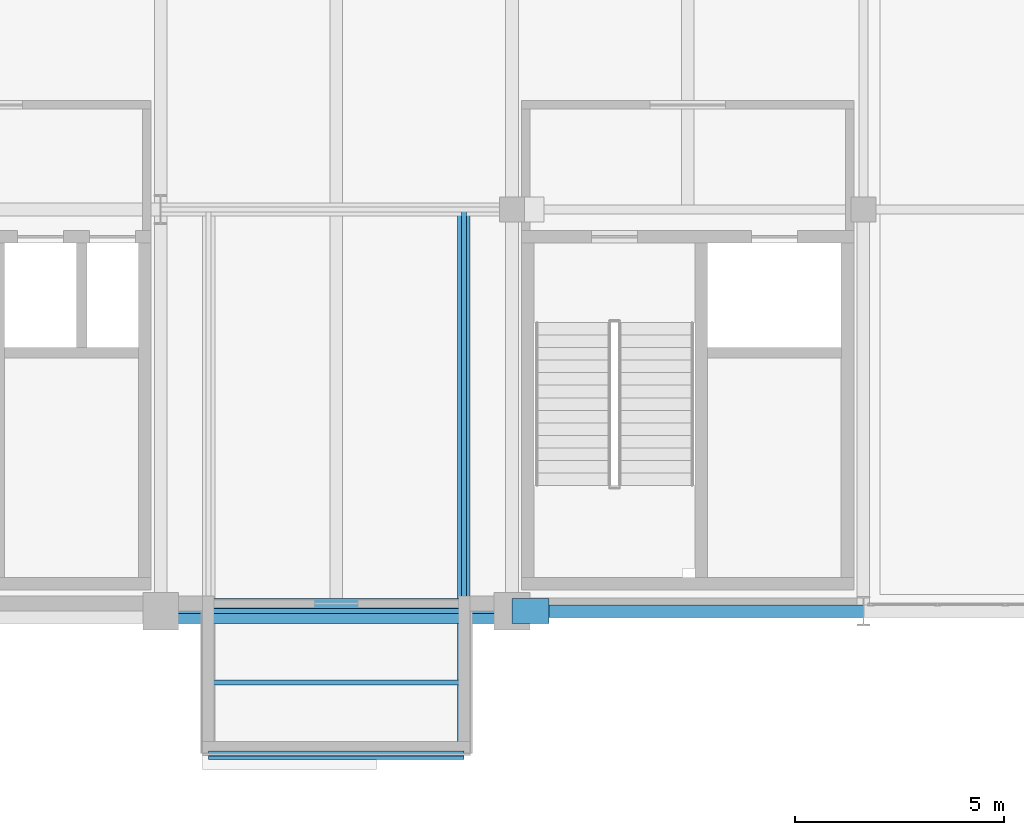
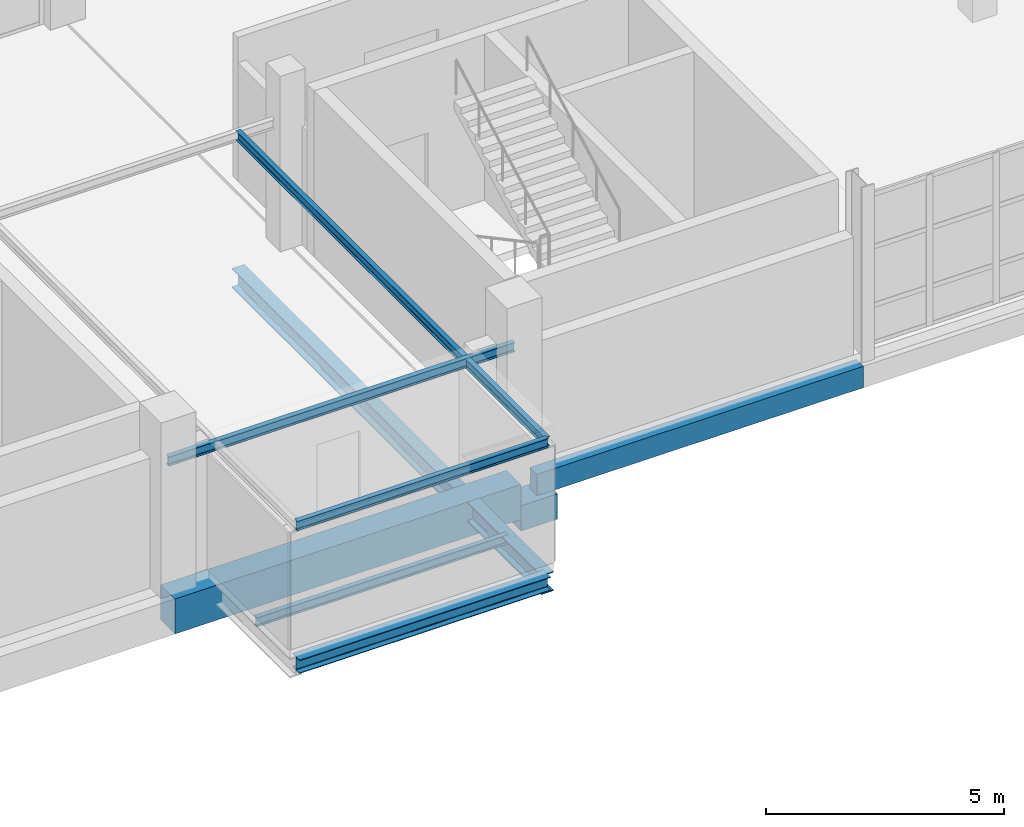
# One storey, part 31 of 113: 9 beams.
"""IFC4 building model written with IfcOpenShell, lengths in metres."""

from ifc_helpers import new_model, si_unit, direction, frame, origin, origin_2d, place, context, subcontext, project, spatial, rectangle, i_section, extrude, material, material_profile, profile_set, type_object, element, save


model = new_model("IFC4")

# Units and contexts
model_context = context("Model", 3, precision=1e-05, world=origin(), true_north=direction((0.0, 1.0)))
body_context = subcontext(model_context, "Body", "Model", "MODEL_VIEW")
ifc_project = project(units=[si_unit("LENGTHUNIT", "METRE"), si_unit("AREAUNIT", "SQUARE_METRE"), si_unit("VOLUMEUNIT", "CUBIC_METRE"), si_unit("PLANEANGLEUNIT", "RADIAN"), si_unit("MASSUNIT", "GRAM", prefix="KILO")], contexts=[model_context])

# Site, building, storey
site_placement = place(None, origin())
site = spatial("IfcSite", under=ifc_project, at=site_placement, CompositionType="ELEMENT")
building_placement = place(site_placement, origin())
building = spatial("IfcBuilding", under=site, at=building_placement, Name="Veltarok Museum of Natural Sciences", CompositionType="ELEMENT")
storey_placement = place(building_placement, frame((0.0, 0.0, 8.39990234375)))
storey = spatial("IfcBuildingStorey", under=building, at=storey_placement, Name="L01", CompositionType="ELEMENT", Elevation=8.39990234375)

# Beams
ifc_material_1 = material(Name="Steel S355J2", Category="steel")
ifc_material_profile_1 = material_profile(ifc_material_1, i_section(OverallWidth=0.300048828125, OverallDepth=0.5, WebThickness=0.014404296875, FlangeThickness=0.028076171875, FilletRadius=0.027099609375, at=origin_2d()), Name="HEB 500")
ifc_profile_set_1 = profile_set([ifc_material_profile_1], Name="Steel S355J2")
beam_type_1 = type_object("IfcBeamType", Name="Cabinet Box Cantilever Girder HEB 500", PredefinedType="BEAM", material=ifc_profile_set_1)
beam_1_placement = place(storey_placement, frame((106.050048828125, -3.39990234375, -0.5), z_axis=(0.0, 1.0, 0.0), x_axis=(-1.0, 0.0, 0.0)))
element("IfcBeam", 1, at=beam_1_placement, inside=storey, type_object=beam_type_1, Name="Cabinet Cantilever Girder DB-05-2", PredefinedType="BEAM", context=body_context, shape_type="SweptSolid", body=[
    extrude(i_section(OverallWidth=0.300048828125, OverallDepth=0.5, WebThickness=0.014404296875, FlangeThickness=0.028076171875, FilletRadius=0.027099609375, at=origin_2d()), origin(), (0.0, 0.0, 1.0), 13.0),
])
ifc_material_profile_2 = material_profile(ifc_material_1, i_section(OverallWidth=0.1201171875, OverallDepth=0.239990234375, WebThickness=0.006103515625, FlangeThickness=0.009765625, FilletRadius=0.014892578125, at=origin_2d()), Name="IPE 240")
ifc_profile_set_2 = profile_set([ifc_material_profile_2], Name="Steel S355J2")
beam_type_2 = type_object("IfcBeamType", Name="Cabinet Box Secondary Joist IPE 240", PredefinedType="JOIST", material=ifc_profile_set_2)
beam_2_placement = place(storey_placement, frame((106.050048828125, -3.39990234375, 3.130126953125), z_axis=(0.0, 1.0, 0.0), x_axis=(-1.0, 0.0, 0.0)))
element("IfcBeam", 2, at=beam_2_placement, inside=storey, type_object=beam_type_2, Name="Cabinet Roof Rafter DB-05-2", PredefinedType="JOIST", context=body_context, shape_type="SweptSolid", body=[
    extrude(i_section(OverallWidth=0.1201171875, OverallDepth=0.239990234375, WebThickness=0.006103515625, FlangeThickness=0.009765625, FilletRadius=0.014892578125, at=origin_2d()), origin(), (0.0, 0.0, 1.0), 13.0),
])
beam_3_placement = place(storey_placement, frame((98.800048828125, 0.0, 3.130126953125), z_axis=(1.0, 0.0, 0.0), x_axis=(0.0, 1.0, 0.0)))
element("IfcBeam", 3, at=beam_3_placement, inside=storey, type_object=beam_type_2, Name="Cabinet Roof Tie Beam DB-05-P", PredefinedType="JOIST", context=body_context, shape_type="SweptSolid", body=[
    extrude(i_section(OverallWidth=0.1201171875, OverallDepth=0.239990234375, WebThickness=0.006103515625, FlangeThickness=0.009765625, FilletRadius=0.014892578125, at=origin_2d()), origin(), (0.0, 0.0, 1.0), 8.39990234375),
])
for number, where, z_axis, x_axis, name in (
    (4, (99.949951171875, -3.39990234375, 3.130126953125), (1.0, 0.0, 0.0), (0.0, 1.0, 0.0), "Cabinet Roof Tip Header DB-05"),
    (5, (99.949951171875, -1.699951171875, -0.369873046875), (1.0, 0.0, 0.0), (0.0, 1.0, 0.0), "Cabinet Box Joist DB-05"),
):
    element("IfcBeam", number, at=place(storey_placement, frame(where, z_axis=z_axis, x_axis=x_axis)), inside=storey, type_object=beam_type_2, Name=name, PredefinedType="JOIST", context=body_context, shape_type="SweptSolid", body=[
        extrude(i_section(OverallWidth=0.1201171875, OverallDepth=0.239990234375, WebThickness=0.006103515625, FlangeThickness=0.009765625, FilletRadius=0.014892578125, at=origin_2d()), origin(), (0.0, 0.0, 1.0), 6.10009765625),
    ])
ifc_material_profile_3 = material_profile(ifc_material_1, i_section(OverallWidth=0.300048828125, OverallDepth=0.35009765625, WebThickness=0.010009765625, FlangeThickness=0.017578125, FilletRadius=0.027099609375, at=origin_2d()), Name="HEA 360")
ifc_profile_set_3 = profile_set([ifc_material_profile_3], Name="Steel S355J2")
beam_type_3 = type_object("IfcBeamType", Name="Cabinet Box Tip Header HEA 360", PredefinedType="BEAM", material=ifc_profile_set_3)
beam_4_placement = place(storey_placement, frame((99.949951171875, -3.39990234375, -0.4248046875), z_axis=(1.0, 0.0, 0.0), x_axis=(0.0, 1.0, 0.0)))
element("IfcBeam", 6, at=beam_4_placement, inside=storey, type_object=beam_type_3, Name="Cabinet Tip Header DB-05", PredefinedType="BEAM", context=body_context, shape_type="SweptSolid", body=[
    extrude(i_section(OverallWidth=0.300048828125, OverallDepth=0.35009765625, WebThickness=0.010009765625, FlangeThickness=0.017578125, FilletRadius=0.027099609375, at=origin_2d()), origin(), (0.0, 0.0, 1.0), 6.10009765625),
])
ifc_material_2 = material(Name="Precast concrete C40/50", Category="concrete")
ifc_material_profile_4 = material_profile(ifc_material_2, rectangle(XDim=0.300048828125, YDim=0.550048828125, at=origin_2d()), Name="RC 300x550")
ifc_profile_set_4 = profile_set([ifc_material_profile_4], Name="Precast concrete C40/50")
beam_type_4 = type_object("IfcBeamType", Name="East Wing Precast Spandrel RC 300x550", PredefinedType="SPANDREL", material=ifc_profile_set_4)
beam_5_placement = place(storey_placement, frame((107.675048828125, 0.0, -0.52490234375), z_axis=(1.0, 0.0, 0.0), x_axis=(0.0, 1.0, 0.0)))
element("IfcBeam", 7, at=beam_5_placement, inside=storey, type_object=beam_type_4, Name="Beam BM-SP02 L01 13-14/A", PredefinedType="SPANDREL", context=body_context, shape_type="SweptSolid", body=[
    extrude(rectangle(XDim=0.300048828125, YDim=0.550048828125, at=origin_2d()), origin(), (0.0, 0.0, 1.0), 7.925048828125),
])
ifc_material_3 = material(Name="Concrete C40/50", Category="concrete")
ifc_material_profile_5 = material_profile(ifc_material_3, rectangle(XDim=0.60009765625, YDim=0.89990234375, at=origin_2d()), Name="RC 600x900")
ifc_profile_set_5 = profile_set([ifc_material_profile_5], Name="Concrete C40/50")
beam_type_5 = type_object("IfcBeamType", Name="Exposed Cabinet Perimeter Spandrel RC 600x900", PredefinedType="SPANDREL", material=ifc_profile_set_5)
beam_6_placement = place(storey_placement, frame((98.800048828125, 0.0, -0.699951171875), z_axis=(1.0, 0.0, 0.0), x_axis=(0.0, 1.0, 0.0)))
element("IfcBeam", 8, at=beam_6_placement, inside=storey, type_object=beam_type_5, Name="Beam BM-SP01 L01 12-13/A", PredefinedType="SPANDREL", context=body_context, shape_type="SweptSolid", body=[
    extrude(rectangle(XDim=0.60009765625, YDim=0.89990234375, at=origin_2d()), origin(), (0.0, 0.0, 1.0), 8.39990234375),
])
ifc_material_profile_6 = material_profile(ifc_material_3, rectangle(XDim=0.60009765625, YDim=0.64990234375, at=origin_2d()), Name="RC 600x650")
ifc_profile_set_6 = profile_set([ifc_material_profile_6], Name="Concrete C40/50")
beam_type_6 = type_object("IfcBeamType", Name="Movement Joint Sliding Corbel RC 600x650", PredefinedType="BEAM", material=ifc_profile_set_6)
beam_7_placement = place(storey_placement, frame((107.199951171875, 0.0, -1.125), z_axis=(1.0, 0.0, 0.0), x_axis=(0.0, 1.0, 0.0)))
element("IfcBeam", 9, at=beam_7_placement, inside=storey, type_object=beam_type_6, Name="Movement Joint Corbel L01 13/A", PredefinedType="BEAM", context=body_context, shape_type="SweptSolid", body=[
    extrude(rectangle(XDim=0.60009765625, YDim=0.64990234375, at=origin_2d()), origin(), (0.0, 0.0, 1.0), 0.885009765625),
])

save(model, "model.ifc")
